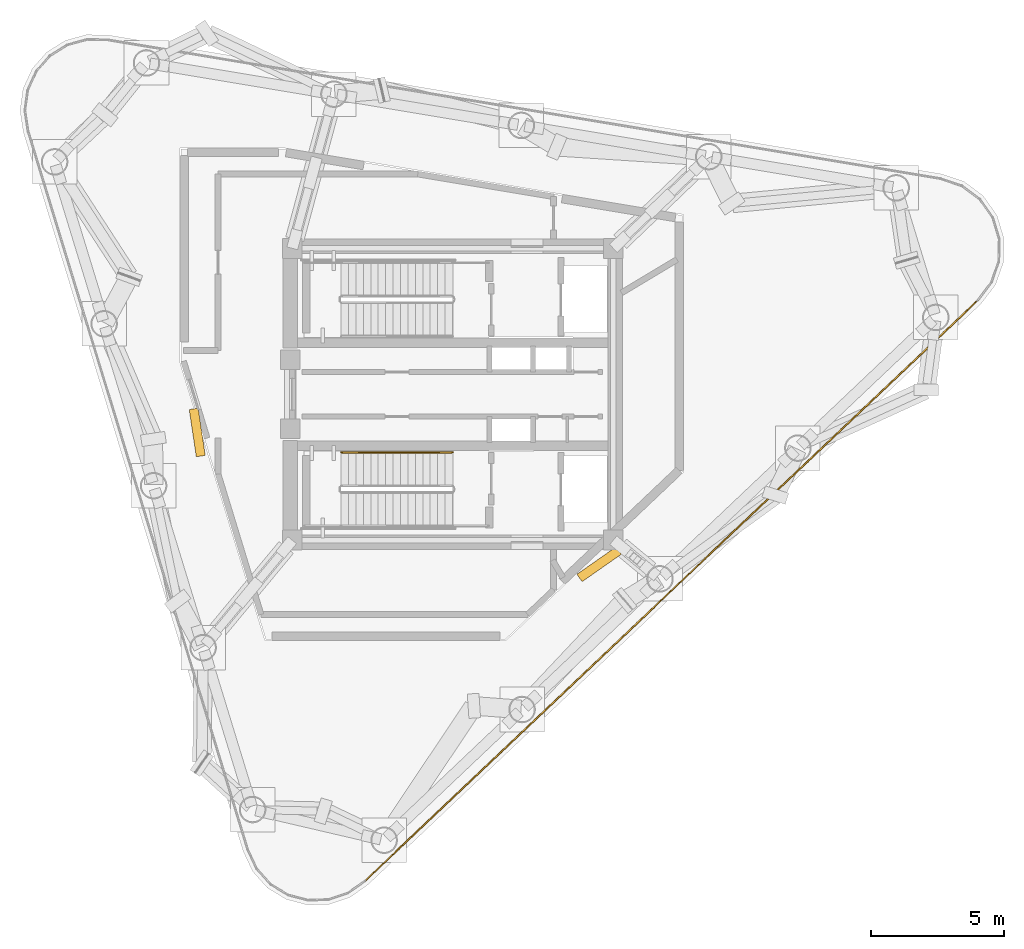
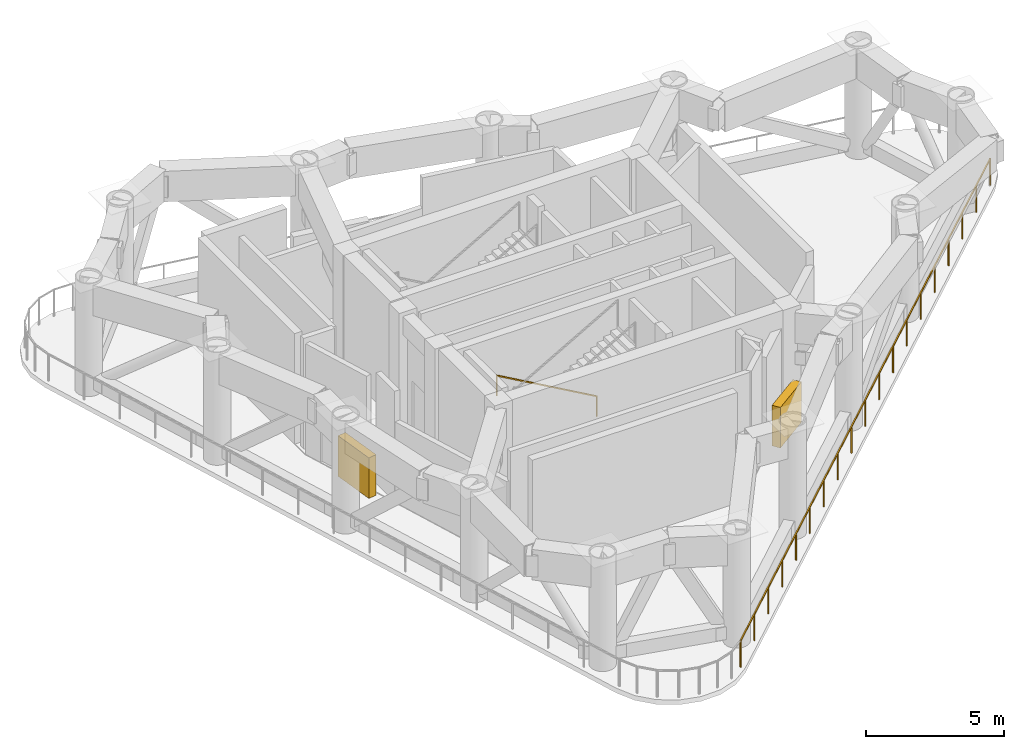
# One storey, part 7 of 9: 2 railings, 2 shading devices.
"""IFC4 building model written with IfcOpenShell, lengths in metres."""

from ifc_helpers import new_model, si_unit, direction, frame, origin, origin_2d, place, context, subcontext, project, spatial, rectangle, extrude, source, transform, mapped, material, layer, layer_set, type_object, element, save


model = new_model("IFC4")

# Units and contexts
model_context = context("Model", 3, precision=1e-05, world=origin(), true_north=direction((0.0, 1.0)))
body_context = subcontext(model_context, "Body", "Model", "MODEL_VIEW")
ifc_project = project(units=[si_unit("LENGTHUNIT", "METRE"), si_unit("AREAUNIT", "SQUARE_METRE"), si_unit("VOLUMEUNIT", "CUBIC_METRE"), si_unit("PLANEANGLEUNIT", "RADIAN"), si_unit("MASSUNIT", "GRAM", prefix="KILO")], contexts=[model_context])

# Site, building, storey
site_placement = place(None, origin())
site = spatial("IfcSite", under=ifc_project, at=site_placement, CompositionType="ELEMENT")
building_placement = place(site_placement, origin())
building = spatial("IfcBuilding", under=site, at=building_placement, Name="Yunling Apex Tower", CompositionType="ELEMENT")
storey_placement = place(building_placement, frame((0.0, 0.0, 252.449951171875)))
storey = spatial("IfcBuildingStorey", under=building, at=storey_placement, Name="RF7", CompositionType="ELEMENT", Elevation=252.449951171875)

# Railings
ifc_material_1 = material(Name="Bronze anodised aluminium", Category="aluminium")
railing_type_1 = type_object("IfcRailingType", Name="RL-BAL-1200", PredefinedType="BALUSTRADE", material=ifc_material_1)
railing_1_placement = place(storey_placement, frame((19.787353515625, 3.541015625, 0.0)))
element("IfcRailing", 1, at=railing_1_placement, inside=storey, type_object=railing_type_1, Name="RL-REF-RF7-17", PredefinedType="BALUSTRADE", context=body_context, shape_type="SweptSolid", body=[
    extrude(rectangle(XDim=0.0439453125, YDim=0.0439453125, at=origin_2d()), origin(), (0.0, 0.0, 1.0), 1.199951171875),
    extrude(rectangle(XDim=0.0439453125, YDim=0.0439453125, at=origin_2d()), frame((-23.104736328125, -21.89501953125, 0.0)), (0.0, 0.0, 1.0), 1.199951171875),
    extrude(rectangle(XDim=0.050048828125, YDim=0.050048828125, at=origin_2d()), frame((-0.02783203125, -0.0263671875, 1.1748046875), z_axis=(-0.725853516694, -0.687849309299, 0.0), x_axis=(0.687849309299, -0.725853516694, 0.0)), (0.0, 0.0, 1.0), 31.75439453125),
    extrude(rectangle(XDim=0.0439453125, YDim=0.0439453125, at=origin_2d()), frame((-1.28369140625, -1.21630859375, 0.0)), (0.0, 0.0, 1.0), 1.14599609375),
    extrude(rectangle(XDim=0.0439453125, YDim=0.0439453125, at=origin_2d()), frame((-2.567138671875, -2.432861328125, 0.0)), (0.0, 0.0, 1.0), 1.14599609375),
    extrude(rectangle(XDim=0.0439453125, YDim=0.0439453125, at=origin_2d()), frame((-3.850830078125, -3.649169921875, 0.0)), (0.0, 0.0, 1.0), 1.14599609375),
    extrude(rectangle(XDim=0.0439453125, YDim=0.0439453125, at=origin_2d()), frame((-5.13427734375, -4.865478515625, 0.0)), (0.0, 0.0, 1.0), 1.14599609375),
    extrude(rectangle(XDim=0.0439453125, YDim=0.0439453125, at=origin_2d()), frame((-6.41796875, -6.08203125, 0.0)), (0.0, 0.0, 1.0), 1.14599609375),
    extrude(rectangle(XDim=0.0439453125, YDim=0.0439453125, at=origin_2d()), frame((-7.70166015625, -7.29833984375, 0.0)), (0.0, 0.0, 1.0), 1.14599609375),
    extrude(rectangle(XDim=0.0439453125, YDim=0.0439453125, at=origin_2d()), frame((-8.985107421875, -8.5146484375, 0.0)), (0.0, 0.0, 1.0), 1.14599609375),
    extrude(rectangle(XDim=0.0439453125, YDim=0.0439453125, at=origin_2d()), frame((-10.268798828125, -9.731201171875, 0.0)), (0.0, 0.0, 1.0), 1.14599609375),
    extrude(rectangle(XDim=0.0439453125, YDim=0.0439453125, at=origin_2d()), frame((-11.55224609375, -10.947509765625, 0.0)), (0.0, 0.0, 1.0), 1.14599609375),
    extrude(rectangle(XDim=0.0439453125, YDim=0.0439453125, at=origin_2d()), frame((-12.8359375, -12.163818359375, 0.0)), (0.0, 0.0, 1.0), 1.14599609375),
    extrude(rectangle(XDim=0.0439453125, YDim=0.0439453125, at=origin_2d()), frame((-14.11962890625, -13.38037109375, 0.0)), (0.0, 0.0, 1.0), 1.14599609375),
    extrude(rectangle(XDim=0.0439453125, YDim=0.0439453125, at=origin_2d()), frame((-15.403076171875, -14.5966796875, 0.0)), (0.0, 0.0, 1.0), 1.14599609375),
    extrude(rectangle(XDim=0.0439453125, YDim=0.0439453125, at=origin_2d()), frame((-16.686767578125, -15.81298828125, 0.0)), (0.0, 0.0, 1.0), 1.14599609375),
    extrude(rectangle(XDim=0.0439453125, YDim=0.0439453125, at=origin_2d()), frame((-17.970458984375, -17.029541015625, 0.0)), (0.0, 0.0, 1.0), 1.14599609375),
    extrude(rectangle(XDim=0.0439453125, YDim=0.0439453125, at=origin_2d()), frame((-19.25390625, -18.245849609375, 0.0)), (0.0, 0.0, 1.0), 1.14599609375),
    extrude(rectangle(XDim=0.0439453125, YDim=0.0439453125, at=origin_2d()), frame((-20.53759765625, -19.462158203125, 0.0)), (0.0, 0.0, 1.0), 1.14599609375),
    extrude(rectangle(XDim=0.0439453125, YDim=0.0439453125, at=origin_2d()), frame((-21.821044921875, -20.6787109375, 0.0)), (0.0, 0.0, 1.0), 1.14599609375),
])
ifc_material_2 = material(Name="Silver anodised aluminium", Category="aluminium")
railing_type_2 = type_object("IfcRailingType", Name="RL-HND-900", PredefinedType="HANDRAIL", material=ifc_material_2)
railing_2_placement = place(storey_placement, frame((-0.010009765625, -2.18994140625, 0.159423828125)))
element("IfcRailing", 2, at=railing_2_placement, inside=storey, type_object=railing_type_2, Name="RF7 ST-2 stair handrail 1", PredefinedType="HANDRAIL", context=body_context, shape_type="SweptSolid", body=[
    extrude(rectangle(XDim=0.0439453125, YDim=0.0439453125, at=origin_2d()), origin(), (0.0, 0.0, 1.0), 0.919921875),
    extrude(rectangle(XDim=0.0439453125, YDim=0.0439453125, at=origin_2d()), frame((-4.199951171875, 0.0, 2.390625)), (0.0, 0.0, 1.0), 0.919921875),
    extrude(rectangle(XDim=0.050048828125, YDim=0.050048828125, at=origin_2d()), frame((-0.033203125, 0.0, 0.913818359375), z_axis=(-0.869075089623, 0.0, 0.494680188199), x_axis=(0.0, -1.0, 0.0)), (0.0, 0.0, 1.0), 4.756103515625),
])

# Shading devices
ifc_layer = layer(ifc_material_1, 0.1201171875)
ifc_layer_set = layer_set([ifc_layer], Name="Bronze anodised aluminium")
shading_device_type = type_object("IfcShadingDeviceType", Name="LV-BRZ-1", PredefinedType="USERDEFINED", material=ifc_layer_set)
shared_shape = source(origin(), body_context, "Body", "SweptSolid", [
    extrude(rectangle(XDim=1.800048828125, YDim=0.340087890625, at=origin_2d()), origin(), (0.0, 0.0, 1.0), 1.800048828125),
])
for number, where, z_axis, x_axis, name in (
    (3, (-9.632080078125, -1.439453125, 0.0), (0.0, 0.0, 1.0), (-0.14780941113, 0.989015863362, 0.0), "LV-REF-RF7-1"),
    (4, (5.514404296875, -6.408935546875, 0.0), (0.0, 0.0, 1.0), (-0.819552276527, -0.573004420611, 0.0), "LV-REF-RF7-2"),
):
    element("IfcShadingDevice", number, at=place(storey_placement, frame(where, z_axis=z_axis, x_axis=x_axis)), inside=storey, type_object=shading_device_type, Name=name, ObjectType="LOUVRE", PredefinedType="USERDEFINED", context=body_context, shape_type="MappedRepresentation", body=[
        mapped(shared_shape, transform((0.0, 0.0, 0.0), scale=1.0)),
    ])

save(model, "model.ifc")
